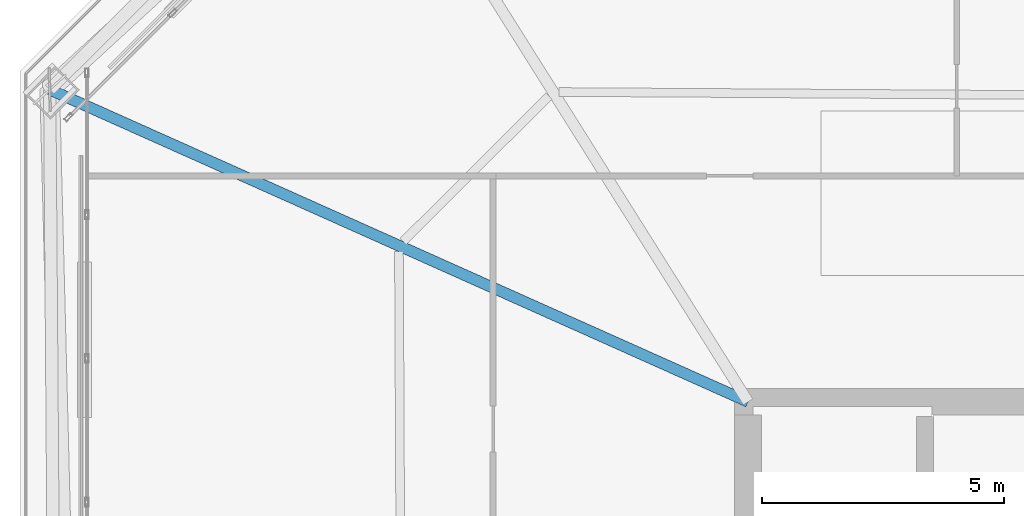
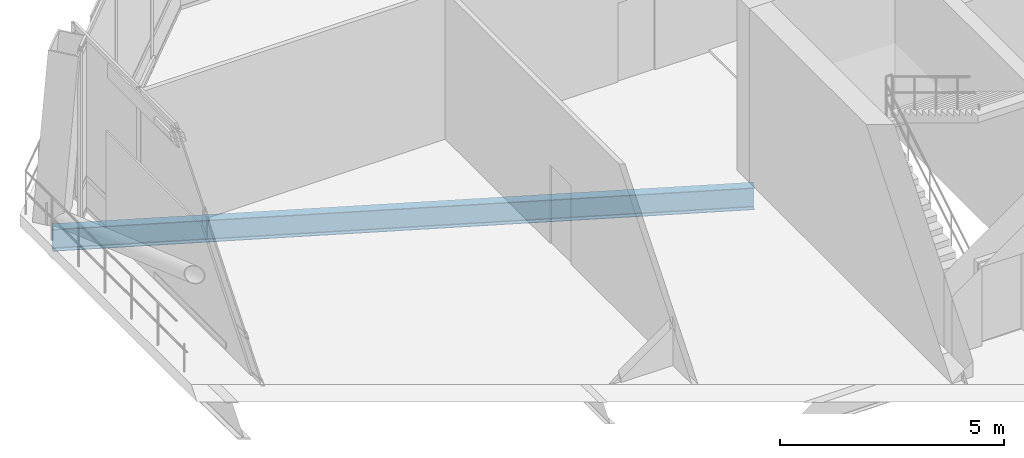
# One storey, part 18 of 34: 1 beam.
"""IFC4 building model written with IfcOpenShell, lengths in metres."""

from ifc_helpers import new_model, si_unit, direction, frame, origin, origin_2d, place, context, subcontext, project, spatial, i_section, extrude, material, material_profile, profile_set, type_object, element, save


model = new_model("IFC4")

# Units and contexts
model_context = context("Model", 3, precision=1e-05, world=origin(), true_north=direction((0.0, 1.0)))
body_context = subcontext(model_context, "Body", "Model", "MODEL_VIEW")
ifc_project = project(units=[si_unit("LENGTHUNIT", "METRE"), si_unit("AREAUNIT", "SQUARE_METRE"), si_unit("VOLUMEUNIT", "CUBIC_METRE"), si_unit("PLANEANGLEUNIT", "RADIAN"), si_unit("MASSUNIT", "GRAM", prefix="KILO")], contexts=[model_context])

# Site, building, storey
site_placement = place(None, origin())
site = spatial("IfcSite", under=ifc_project, at=site_placement, CompositionType="ELEMENT")
building_placement = place(site_placement, origin())
building = spatial("IfcBuilding", under=site, at=building_placement, Name="Caelvoria Tower", CompositionType="ELEMENT")
storey_placement = place(building_placement, frame((0.0, 0.0, 172.0)))
storey = spatial("IfcBuildingStorey", under=building, at=storey_placement, Name="L45", CompositionType="ELEMENT", Elevation=172.0)

# Beam
ifc_material = material(Name="Structural Steel ASTM A992 Gr.50", Category="steel")
ifc_material_profile = material_profile(ifc_material, i_section(OverallWidth=0.22802734375, OverallDepth=0.60302734375, WebThickness=0.010498046875, FlangeThickness=0.014892578125, FilletRadius=0.01806640625, at=origin_2d()), Name="Structural Steel ASTM A992 Gr.50")
ifc_profile_set = profile_set([ifc_material_profile], Name="W610X101 - Structural Steel ASTM A992 Gr.50")
beam_type = type_object("IfcBeamType", Name="Primary Floor Girder W610X101", PredefinedType="BEAM", material=ifc_profile_set)
beam_placement = place(storey_placement, frame((37.0, 40.0, -0.62158203125), z_axis=(-0.912899572599, 0.408184235792, 0.0), x_axis=(-0.408184235792, -0.912899572599, 0.0)))
element("IfcBeam", 1, at=beam_placement, inside=storey, type_object=beam_type, Name="Primary Floor Girder L45-09", PredefinedType="BEAM", context=body_context, shape_type="SweptSolid", body=[
    extrude(i_section(OverallWidth=0.22802734375, OverallDepth=0.60302734375, WebThickness=0.010498046875, FlangeThickness=0.014892578125, FilletRadius=0.01806640625, at=origin_2d()), origin(), (0.0, 0.0, 1.0), 15.78173828125),
])

save(model, "model.ifc")
